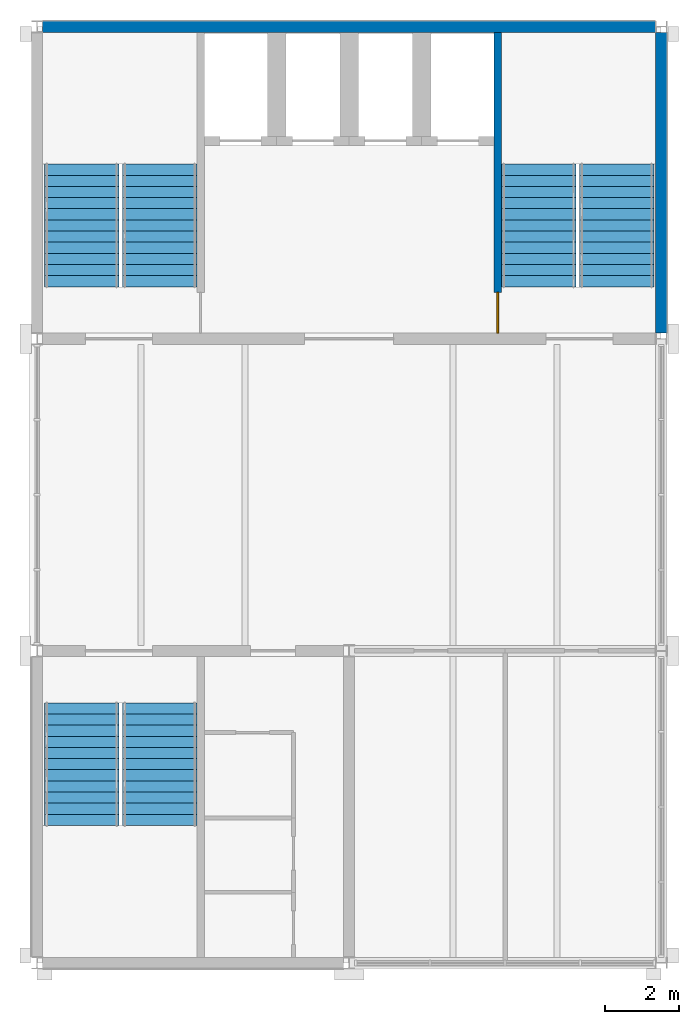
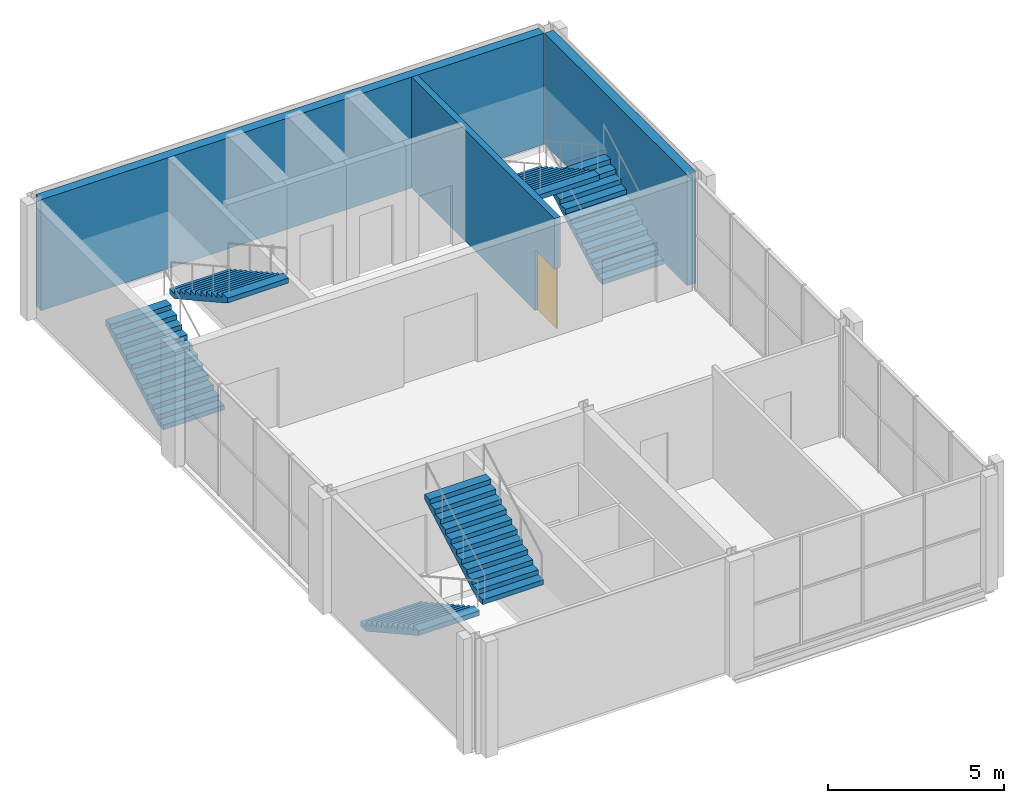
# One storey, part 4 of 5: 6 stair flights, 3 walls, 1 door, 1 opening, 3 elements without a shape of their own.
"""IFC4 building model written with IfcOpenShell, lengths in metres."""

from ifc_helpers import new_model, si_unit, direction, frame, frame_2d, origin, place, context, subcontext, project, spatial, polyline, rectangle, outline, extrude, material, layer, layer_set, type_object, element, fill, aggregate, save


model = new_model("IFC4")

# Units and contexts
model_context = context("Model", 3, precision=1e-05, world=origin(), true_north=direction((0.0, 1.0)))
body_context = subcontext(model_context, "Body", "Model", "MODEL_VIEW")
ifc_project = project(units=[si_unit("LENGTHUNIT", "METRE"), si_unit("AREAUNIT", "SQUARE_METRE"), si_unit("VOLUMEUNIT", "CUBIC_METRE"), si_unit("PLANEANGLEUNIT", "RADIAN"), si_unit("MASSUNIT", "GRAM", prefix="KILO")], contexts=[model_context])

# Site, building, storey
site_placement = place(None, origin())
site = spatial("IfcSite", under=ifc_project, at=site_placement, CompositionType="ELEMENT")
building_placement = place(site_placement, origin())
building = spatial("IfcBuilding", under=site, at=building_placement, Name="Galleria Vessillo Department Store", CompositionType="ELEMENT")
storey_placement = place(building_placement, frame((0.0, 0.0, 63.60009765625)))
storey = spatial("IfcBuildingStorey", under=building, at=storey_placement, Name="L14", CompositionType="ELEMENT", Elevation=63.60009765625)

# Walls
ifc_material_1 = material(Name="Concrete C32/40 reinforced", Category="concrete")
ifc_layer_1 = layer(ifc_material_1, 0.300048828125)
ifc_layer_set_1 = layer_set([ifc_layer_1], Name="Concrete C32/40 reinforced")
wall_type_1 = type_object("IfcWallType", Name="Reinforced concrete core wall 300 mm, external", PredefinedType="SHEAR", material=ifc_layer_set_1)
wall_1_placement = place(storey_placement, frame((100.949951171875, 63.0, 0.0), z_axis=(0.0, 0.0, 1.0), x_axis=(1.0, 0.0, 0.0)))
element("IfcWall", 1, at=wall_1_placement, inside=storey, type_object=wall_type_1, Name="S-CW-TC-PARTY-L14", PredefinedType="SHEAR", context=body_context, shape_type="SweptSolid", body=[
    extrude(rectangle(XDim=16.490234375, YDim=0.300048828125, at=frame_2d((8.2451171875, 0.0))), origin(), (0.0, 0.0, 1.0), 3.85009765625),
])
wall_2_placement = place(storey_placement, frame((117.60009765625, 54.75, 0.0), z_axis=(0.0, 0.0, 1.0), x_axis=(0.0, 1.0, 0.0)))
element("IfcWall", 2, at=wall_2_placement, inside=storey, type_object=wall_type_1, Name="S-CW-TC-EAST-L14", PredefinedType="SHEAR", context=body_context, shape_type="SweptSolid", body=[
    extrude(rectangle(XDim=8.10009765625, YDim=0.300048828125, at=frame_2d((4.050048828125, 0.0))), origin(), (0.0, 0.0, 1.0), 3.85009765625),
])

# Wall, opening, door
ifc_material_2 = material(Name="Concrete C32/40 reinforced", Category="concrete")
ifc_layer_2 = layer(ifc_material_2, 0.199951171875)
ifc_layer_set_2 = layer_set([ifc_layer_2], Name="Concrete C32/40 reinforced")
wall_type_2 = type_object("IfcWallType", Name="Reinforced concrete stair enclosure wall 200 mm", PredefinedType="SHEAR", material=ifc_layer_set_2)
wall_3_placement = place(storey_placement, frame((113.199951171875, 62.85009765625, 0.0), z_axis=(0.0, 0.0, 1.0), x_axis=(0.0, -1.0, 0.0)))
wall_3 = element("IfcWall", 3, at=wall_3_placement, inside=storey, type_object=wall_type_2, Name="Stair enclosure wall TC L14", PredefinedType="SHEAR", context=body_context, shape_type="SweptSolid", body=[
    extrude(rectangle(XDim=8.10009765625, YDim=0.199951171875, at=frame_2d((4.050048828125, 0.0))), origin(), (0.0, 0.0, 1.0), 3.849853515625),
])
opening_placement = place(wall_3_placement, frame((7.0, 0.0, 0.0)))
opening = element("IfcOpeningElement", 4, at=opening_placement, cuts=wall_3, Name="Opening D5311", PredefinedType="OPENING", context=body_context, shape_type="SweptSolid", body=[
    extrude(rectangle(XDim=1.11009765625, YDim=2.10009765625, at=frame_2d((0.554931640625, 1.050048828125))), frame((0.0, 0.10986328125, 0.0), z_axis=(0.0, -1.0, 0.0), x_axis=(1.0, 0.0, 0.0)), (0.0, 0.0, 1.0), 0.219970703125),
])
ifc_material_3 = material(Name="Fire-rated steel door leaf", Category="steel")
door_type = type_object("IfcDoorType", Name="Door D110F stair door 1100 x 2100", OperationType="SINGLE_SWING_LEFT", PredefinedType="DOOR", material=ifc_material_3)
door_placement = place(opening_placement, origin())
door = element("IfcDoor", 5, at=door_placement, inside=storey, type_object=door_type, Name="Stair door TC-ST9-LOBBY L14", OperationType="SINGLE_SWING_RIGHT", OverallHeight=2.10009765625, OverallWidth=1.10009765625, PredefinedType="DOOR", context=body_context, shape_type="SweptSolid", body=[
    extrude(rectangle(XDim=1.10009765625, YDim=2.10009765625, at=frame_2d((0.550048828125, 1.050048828125))), frame((0.0, 0.02490234375, 0.0), z_axis=(0.0, -1.0, 0.0), x_axis=(1.0, 0.0, 0.0)), (0.0, 0.0, 1.0), 0.050048828125),
])
fill(opening, door)

# Stair, stair flights
ifc_material_4 = material(Name="Concrete C32/40", Category="concrete")
stair_type = type_object("IfcStairType", Name="Half-turn escape stair 2000 mm, 24 risers of 167 mm", PredefinedType="HALF_TURN_STAIR", material=ifc_material_4)
stair_1_placement = place(storey_placement, origin())
stair_1 = element("IfcStair", 6, at=stair_1_placement, inside=storey, type_object=stair_type, Name="Stair ST8 L14", PredefinedType="HALF_TURN_STAIR")
ifc_material_5 = material(Name="Concrete C32/40", Category="concrete")
stair_flight_type = type_object("IfcStairFlightType", Name="Stair flight 2000 mm, 12 risers of 167 mm", PredefinedType="STRAIGHT", material=ifc_material_5)
stair_flight_1_placement = place(storey_placement, frame((102.0, 55.99951171875, 0.0), z_axis=(0.0, 0.0, 1.0), x_axis=(0.0, 1.0, 0.0)))
stair_flight_1 = element("IfcStairFlight", 7, at=stair_flight_1_placement, type_object=stair_flight_type, Name="ST8 flight 1", NumberOfRisers=12, NumberOfTreads=11, PredefinedType="STRAIGHT", RiserHeight=0.166666667, TreadLength=0.3, context=body_context, shape_type="SweptSolid", body=[
    extrude(outline(polyline([(0.0, 0.0), (0.0, 0.166748046875), (0.300048828125, 0.166748046875), (0.300048828125, 0.333251953125), (0.60009765625, 0.333251953125), (0.60009765625, 0.5), (0.89990234375, 0.5), (0.89990234375, 0.666748046875), (1.199951171875, 0.666748046875), (1.199951171875, 0.833251953125), (1.5, 0.833251953125), (1.5, 1.0), (1.800048828125, 1.0), (1.800048828125, 1.166748046875), (2.10009765625, 1.166748046875), (2.10009765625, 1.333251953125), (2.39990234375, 1.333251953125), (2.39990234375, 1.5), (2.699951171875, 1.5), (2.699951171875, 1.666748046875), (3.0, 1.666748046875), (3.0, 1.833251953125), (3.300048828125, 1.833251953125), (3.300048828125, 2.0), (3.300048828125, 1.661865234375), (0.30859375, 0.0), (0.0, 0.0)])), frame((0.0, 1.0, 0.0), z_axis=(0.0, -1.0, 0.0), x_axis=(1.0, 0.0, 0.0)), (0.0, 0.0, 1.0), 2.0),
])
stair_flight_2_placement = place(storey_placement, frame((104.10009765625, 59.299560546875, 2.0), z_axis=(0.0, 0.0, 1.0), x_axis=(0.0, -1.0, 0.0)))
stair_flight_2 = element("IfcStairFlight", 8, at=stair_flight_2_placement, type_object=stair_flight_type, Name="ST8 flight 2", NumberOfRisers=12, NumberOfTreads=11, PredefinedType="STRAIGHT", RiserHeight=0.166666667, TreadLength=0.3, context=body_context, shape_type="SweptSolid", body=[
    extrude(outline(polyline([(0.0, 0.0), (0.0, 0.166748046875), (0.300048828125, 0.166748046875), (0.300048828125, 0.333251953125), (0.60009765625, 0.333251953125), (0.60009765625, 0.5), (0.89990234375, 0.5), (0.89990234375, 0.666748046875), (1.199951171875, 0.666748046875), (1.199951171875, 0.833251953125), (1.5, 0.833251953125), (1.5, 1.0), (1.800048828125, 1.0), (1.800048828125, 1.166748046875), (2.10009765625, 1.166748046875), (2.10009765625, 1.333251953125), (2.39990234375, 1.333251953125), (2.39990234375, 1.5), (2.699951171875, 1.5), (2.699951171875, 1.666748046875), (3.0, 1.666748046875), (3.0, 1.833251953125), (3.300048828125, 1.833251953125), (3.300048828125, 2.0), (3.300048828125, 1.661865234375), (0.30859375, 0.0), (0.0, 0.0)])), frame((0.0, 1.0, 0.0), z_axis=(0.0, -1.0, 0.0), x_axis=(1.0, 0.0, 0.0)), (0.0, 0.0, 1.0), 2.0),
])
aggregate(stair_1, [stair_flight_1, stair_flight_2])

stair_2_placement = place(storey_placement, origin())
stair_2 = element("IfcStair", 9, at=stair_2_placement, inside=storey, type_object=stair_type, Name="Stair ST9 L14", PredefinedType="HALF_TURN_STAIR")
stair_flight_3_placement = place(storey_placement, frame((116.39990234375, 55.99951171875, 0.0), z_axis=(0.0, 0.0, 1.0), x_axis=(0.0, 1.0, 0.0)))
stair_flight_3 = element("IfcStairFlight", 10, at=stair_flight_3_placement, type_object=stair_flight_type, Name="ST9 flight 1", NumberOfRisers=12, NumberOfTreads=11, PredefinedType="STRAIGHT", RiserHeight=0.166666667, TreadLength=0.3, context=body_context, shape_type="SweptSolid", body=[
    extrude(outline(polyline([(0.0, 0.0), (0.0, 0.166748046875), (0.300048828125, 0.166748046875), (0.300048828125, 0.333251953125), (0.60009765625, 0.333251953125), (0.60009765625, 0.5), (0.89990234375, 0.5), (0.89990234375, 0.666748046875), (1.199951171875, 0.666748046875), (1.199951171875, 0.833251953125), (1.5, 0.833251953125), (1.5, 1.0), (1.800048828125, 1.0), (1.800048828125, 1.166748046875), (2.10009765625, 1.166748046875), (2.10009765625, 1.333251953125), (2.39990234375, 1.333251953125), (2.39990234375, 1.5), (2.699951171875, 1.5), (2.699951171875, 1.666748046875), (3.0, 1.666748046875), (3.0, 1.833251953125), (3.300048828125, 1.833251953125), (3.300048828125, 2.0), (3.300048828125, 1.661865234375), (0.30859375, 0.0), (0.0, 0.0)])), frame((0.0, 1.0, 0.0), z_axis=(0.0, -1.0, 0.0), x_axis=(1.0, 0.0, 0.0)), (0.0, 0.0, 1.0), 2.0),
])
stair_flight_4_placement = place(storey_placement, frame((114.300048828125, 59.299560546875, 2.0), z_axis=(0.0, 0.0, 1.0), x_axis=(0.0, -1.0, 0.0)))
stair_flight_4 = element("IfcStairFlight", 11, at=stair_flight_4_placement, type_object=stair_flight_type, Name="ST9 flight 2", NumberOfRisers=12, NumberOfTreads=11, PredefinedType="STRAIGHT", RiserHeight=0.166666667, TreadLength=0.3, context=body_context, shape_type="SweptSolid", body=[
    extrude(outline(polyline([(0.0, 0.0), (0.0, 0.166748046875), (0.300048828125, 0.166748046875), (0.300048828125, 0.333251953125), (0.60009765625, 0.333251953125), (0.60009765625, 0.5), (0.89990234375, 0.5), (0.89990234375, 0.666748046875), (1.199951171875, 0.666748046875), (1.199951171875, 0.833251953125), (1.5, 0.833251953125), (1.5, 1.0), (1.800048828125, 1.0), (1.800048828125, 1.166748046875), (2.10009765625, 1.166748046875), (2.10009765625, 1.333251953125), (2.39990234375, 1.333251953125), (2.39990234375, 1.5), (2.699951171875, 1.5), (2.699951171875, 1.666748046875), (3.0, 1.666748046875), (3.0, 1.833251953125), (3.300048828125, 1.833251953125), (3.300048828125, 2.0), (3.300048828125, 1.661865234375), (0.30859375, 0.0), (0.0, 0.0)])), frame((0.0, 1.0, 0.0), z_axis=(0.0, -1.0, 0.0), x_axis=(1.0, 0.0, 0.0)), (0.0, 0.0, 1.0), 2.0),
])
aggregate(stair_2, [stair_flight_3, stair_flight_4])

stair_3_placement = place(storey_placement, origin())
stair_3 = element("IfcStair", 12, at=stair_3_placement, inside=storey, type_object=stair_type, Name="Stair ST12 L14", PredefinedType="HALF_TURN_STAIR")
stair_flight_5_placement = place(storey_placement, frame((102.0, 44.800537109375, 0.0), z_axis=(0.0, 0.0, 1.0), x_axis=(0.0, -1.0, 0.0)))
stair_flight_5 = element("IfcStairFlight", 13, at=stair_flight_5_placement, type_object=stair_flight_type, Name="ST12 flight 1", NumberOfRisers=12, NumberOfTreads=11, PredefinedType="STRAIGHT", RiserHeight=0.166666667, TreadLength=0.3, context=body_context, shape_type="SweptSolid", body=[
    extrude(outline(polyline([(0.0, 0.0), (0.0, 0.166748046875), (0.300048828125, 0.166748046875), (0.300048828125, 0.333251953125), (0.60009765625, 0.333251953125), (0.60009765625, 0.5), (0.89990234375, 0.5), (0.89990234375, 0.666748046875), (1.199951171875, 0.666748046875), (1.199951171875, 0.833251953125), (1.5, 0.833251953125), (1.5, 1.0), (1.800048828125, 1.0), (1.800048828125, 1.166748046875), (2.10009765625, 1.166748046875), (2.10009765625, 1.333251953125), (2.39990234375, 1.333251953125), (2.39990234375, 1.5), (2.699951171875, 1.5), (2.699951171875, 1.666748046875), (3.0, 1.666748046875), (3.0, 1.833251953125), (3.300048828125, 1.833251953125), (3.300048828125, 2.0), (3.300048828125, 1.661865234375), (0.30859375, 0.0), (0.0, 0.0)])), frame((0.0, 1.0, 0.0), z_axis=(0.0, -1.0, 0.0), x_axis=(1.0, 0.0, 0.0)), (0.0, 0.0, 1.0), 2.0),
])
stair_flight_6_placement = place(storey_placement, frame((104.10009765625, 41.50048828125, 2.0), z_axis=(0.0, 0.0, 1.0), x_axis=(0.0, 1.0, 0.0)))
stair_flight_6 = element("IfcStairFlight", 14, at=stair_flight_6_placement, type_object=stair_flight_type, Name="ST12 flight 2", NumberOfRisers=12, NumberOfTreads=11, PredefinedType="STRAIGHT", RiserHeight=0.166666667, TreadLength=0.3, context=body_context, shape_type="SweptSolid", body=[
    extrude(outline(polyline([(0.0, 0.0), (0.0, 0.166748046875), (0.300048828125, 0.166748046875), (0.300048828125, 0.333251953125), (0.60009765625, 0.333251953125), (0.60009765625, 0.5), (0.89990234375, 0.5), (0.89990234375, 0.666748046875), (1.199951171875, 0.666748046875), (1.199951171875, 0.833251953125), (1.5, 0.833251953125), (1.5, 1.0), (1.800048828125, 1.0), (1.800048828125, 1.166748046875), (2.10009765625, 1.166748046875), (2.10009765625, 1.333251953125), (2.39990234375, 1.333251953125), (2.39990234375, 1.5), (2.699951171875, 1.5), (2.699951171875, 1.666748046875), (3.0, 1.666748046875), (3.0, 1.833251953125), (3.300048828125, 1.833251953125), (3.300048828125, 2.0), (3.300048828125, 1.661865234375), (0.30859375, 0.0), (0.0, 0.0)])), frame((0.0, 1.0, 0.0), z_axis=(0.0, -1.0, 0.0), x_axis=(1.0, 0.0, 0.0)), (0.0, 0.0, 1.0), 2.0),
])
aggregate(stair_3, [stair_flight_5, stair_flight_6])

save(model, "model.ifc")
